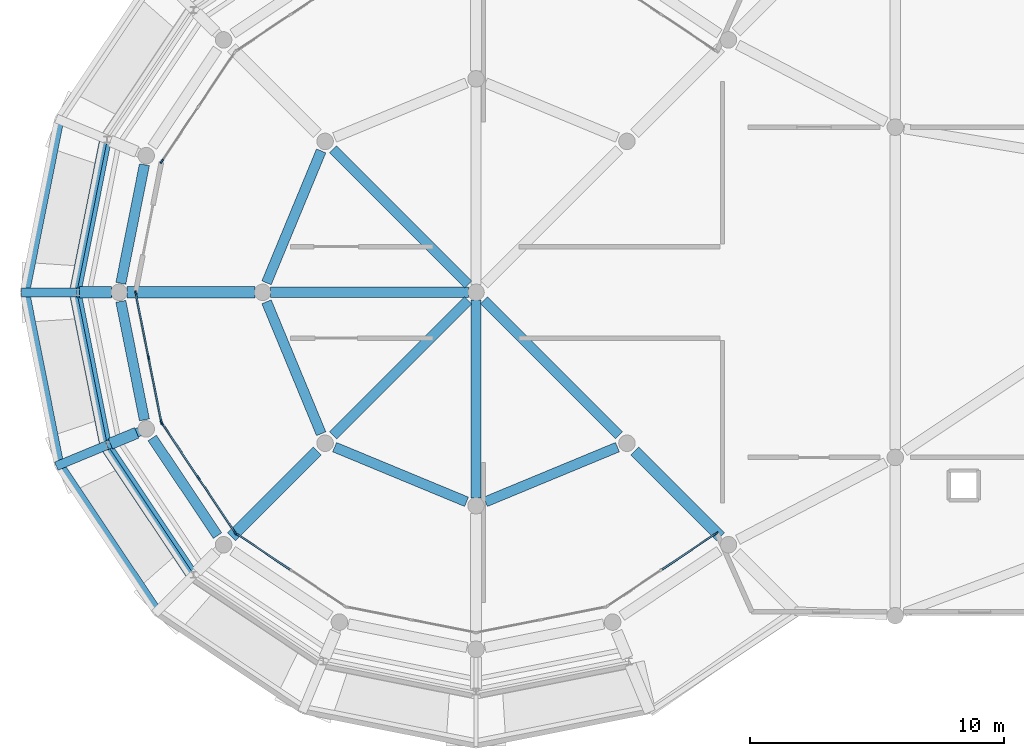
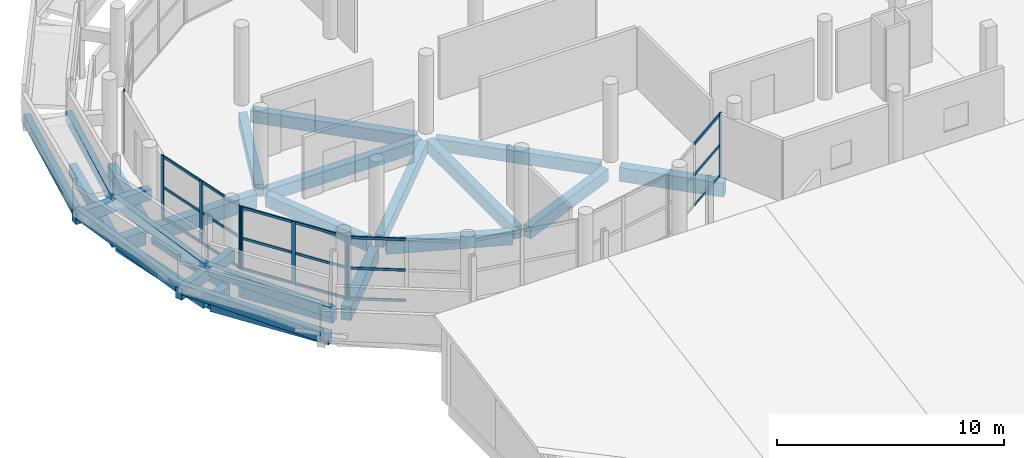
# One storey, part 16 of 83: 30 beams, 27 members, 5 elements without a shape of their own.
"""IFC4 building model written with IfcOpenShell, lengths in metres."""

from ifc_helpers import new_model, si_unit, direction, frame, origin, origin_2d, place, context, subcontext, project, spatial, rectangle, extrude, material, layer, layer_set, material_profile, profile_set, type_object, element, aggregate, save


model = new_model("IFC4")

# Units and contexts
model_context = context("Model", 3, precision=1e-05, world=origin(), true_north=direction((0.0, 1.0)))
body_context = subcontext(model_context, "Body", "Model", "MODEL_VIEW")
ifc_project = project(units=[si_unit("LENGTHUNIT", "METRE"), si_unit("AREAUNIT", "SQUARE_METRE"), si_unit("VOLUMEUNIT", "CUBIC_METRE"), si_unit("PLANEANGLEUNIT", "RADIAN"), si_unit("MASSUNIT", "GRAM", prefix="KILO")], contexts=[model_context])

# Site, building, storey
site_placement = place(None, origin())
site = spatial("IfcSite", under=ifc_project, at=site_placement, CompositionType="ELEMENT")
building_placement = place(site_placement, origin())
building = spatial("IfcBuilding", under=site, at=building_placement, Name="Jelvoka-Kovrelna Polytechnic", CompositionType="ELEMENT")
storey_placement = place(building_placement, frame((0.0, 0.0, 13.800048828125)))
storey = spatial("IfcBuildingStorey", under=building, at=storey_placement, Name="L04", CompositionType="ELEMENT", Elevation=13.800048828125)

# Beams
ifc_material_1 = material(Name="Concrete C35/45", Category="concrete")
ifc_material_profile_1 = material_profile(ifc_material_1, rectangle(XDim=0.35009765625, YDim=0.60009765625, at=origin_2d()), Name="RC 350x600")
ifc_profile_set_1 = profile_set([ifc_material_profile_1], Name="Concrete C35/45")
beam_type_1 = type_object("IfcBeamType", Name="Beam_RC_350x600", PredefinedType="BEAM", material=ifc_profile_set_1)
beam_1_placement = place(storey_placement, frame((12.51953125, 37.123291015625, 1.155029296875), z_axis=(-0.923870731357, -0.38270467954, 0.0), x_axis=(0.38270467954, -0.923870731357, 0.0)))
element("IfcBeam", 1, at=beam_1_placement, inside=storey, type_object=beam_type_1, Name="L04 spiral ramp inner tie beam 4.7", PredefinedType="BEAM", context=body_context, shape_type="SweptSolid", body=[
    extrude(rectangle(XDim=0.35009765625, YDim=0.60009765625, at=origin_2d()), origin(), (0.0, 0.0, 1.0), 1.670166015625),
])
beam_2_placement = place(storey_placement, frame((10.9765625, 36.484130859375, 1.155029296875), z_axis=(-0.923910766313, -0.382608018592, 0.0), x_axis=(0.382608018592, -0.923910766313, 0.0)))
element("IfcBeam", 2, at=beam_2_placement, inside=storey, type_object=beam_type_1, Name="L04 spiral ramp cantilever bracket 4.7", PredefinedType="BEAM", context=body_context, shape_type="SweptSolid", body=[
    extrude(rectangle(XDim=0.35009765625, YDim=0.60009765625, at=origin_2d()), origin(), (0.0, 0.0, 1.0), 2.159912109375),
])
beam_3_placement = place(storey_placement, frame((11.449951171875, 42.5, 1.574951171875), z_axis=(-1.0, 0.0, 0.0), x_axis=(0.0, -1.0, 0.0)))
element("IfcBeam", 3, at=beam_3_placement, inside=storey, type_object=beam_type_1, Name="L04 spiral ramp inner tie beam 4.6", PredefinedType="BEAM", context=body_context, shape_type="SweptSolid", body=[
    extrude(rectangle(XDim=0.35009765625, YDim=0.60009765625, at=origin_2d()), origin(), (0.0, 0.0, 1.0), 1.669921875),
])
beam_4_placement = place(storey_placement, frame((9.780029296875, 42.5, 1.574951171875), z_axis=(-1.0, 0.0, 0.0), x_axis=(0.0, -1.0, 0.0)))
element("IfcBeam", 4, at=beam_4_placement, inside=storey, type_object=beam_type_1, Name="L04 spiral ramp cantilever bracket 4.6", PredefinedType="BEAM", context=body_context, shape_type="SweptSolid", body=[
    extrude(rectangle(XDim=0.35009765625, YDim=0.60009765625, at=origin_2d()), origin(), (0.0, 0.0, 1.0), 2.159912109375),
])
ifc_material_2 = material(Name="Concrete C40/50", Category="concrete")
ifc_material_profile_2 = material_profile(ifc_material_2, rectangle(XDim=0.39990234375, YDim=0.64990234375, at=origin_2d()), Name="RC 400x650")
ifc_profile_set_2 = profile_set([ifc_material_profile_2], Name="Concrete C40/50")
beam_type_2 = type_object("IfcBeamType", Name="Beam_RC_400x650", PredefinedType="BEAM", material=ifc_profile_set_2)
beam_5_placement = place(storey_placement, frame((25.189208984375, 42.810791015625, -0.574951171875), z_axis=(-0.707106781187, 0.707106781187, 0.0), x_axis=(-0.707106781187, -0.707106781187, 0.0)))
element("IfcBeam", 5, at=beam_5_placement, inside=storey, type_object=beam_type_2, Name="L04 beam 2536", PredefinedType="BEAM", context=body_context, shape_type="SweptSolid", body=[
    extrude(rectangle(XDim=0.39990234375, YDim=0.64990234375, at=origin_2d()), origin(), (0.0, 0.0, 1.0), 7.52099609375),
])
beam_6_placement = place(storey_placement, frame((25.195068359375, 42.5, -0.574951171875), z_axis=(-1.0, 0.0, 0.0), x_axis=(0.0, -1.0, 0.0)))
element("IfcBeam", 6, at=beam_6_placement, inside=storey, type_object=beam_type_2, Name="L04 beam 2538", PredefinedType="BEAM", context=body_context, shape_type="SweptSolid", body=[
    extrude(rectangle(XDim=0.39990234375, YDim=0.64990234375, at=origin_2d()), origin(), (0.0, 0.0, 1.0), 7.7900390625),
])
beam_7_placement = place(storey_placement, frame((25.189208984375, 42.189208984375, -0.574951171875), z_axis=(-0.707106781187, -0.707106781187, 0.0), x_axis=(0.707106781187, -0.707106781187, 0.0)))
element("IfcBeam", 7, at=beam_7_placement, inside=storey, type_object=beam_type_2, Name="L04 beam 2540", PredefinedType="BEAM", context=body_context, shape_type="SweptSolid", body=[
    extrude(rectangle(XDim=0.39990234375, YDim=0.64990234375, at=origin_2d()), origin(), (0.0, 0.0, 1.0), 7.52099609375),
])
beam_8_placement = place(storey_placement, frame((25.5, 42.195068359375, -0.574951171875), z_axis=(0.0, -1.0, 0.0), x_axis=(1.0, 0.0, 0.0)))
element("IfcBeam", 8, at=beam_8_placement, inside=storey, type_object=beam_type_2, Name="L04 beam 2542", PredefinedType="BEAM", context=body_context, shape_type="SweptSolid", body=[
    extrude(rectangle(XDim=0.39990234375, YDim=0.64990234375, at=origin_2d()), origin(), (0.0, 0.0, 1.0), 7.7900390625),
])
beam_9_placement = place(storey_placement, frame((25.810791015625, 42.189208984375, -0.574951171875), z_axis=(0.707106781187, -0.707106781187, 0.0), x_axis=(0.707106781187, 0.707106781187, 0.0)))
element("IfcBeam", 9, at=beam_9_placement, inside=storey, type_object=beam_type_2, Name="L04 beam 2544", PredefinedType="BEAM", context=body_context, shape_type="SweptSolid", body=[
    extrude(rectangle(XDim=0.39990234375, YDim=0.64990234375, at=origin_2d()), origin(), (0.0, 0.0, 1.0), 7.52099609375),
])
for number, where, z_axis, x_axis, name in (
    (10, (19.405517578125, 48.06591796875, -0.574951171875), (-0.382680472226, -0.923880758636, 0.0), (0.923880758636, -0.382680472226, 0.0), "L04 beam 2548"),
    (11, (17.2548828125, 42.126220703125, -0.574951171875), (0.382680472226, -0.923880758636, 0.0), (0.923880758636, 0.382680472226, 0.0), "L04 beam 2549"),
    (12, (19.93408203125, 36.405517578125, -0.574951171875), (0.923880758636, -0.382680472226, 0.0), (0.382680472226, 0.923880758636, 0.0), "L04 beam 2550"),
    (13, (25.873779296875, 34.2548828125, -0.574951171875), (0.923880758636, 0.382680472226, 0.0), (-0.382680472226, 0.923880758636, 0.0), "L04 beam 2551"),
):
    element("IfcBeam", number, at=place(storey_placement, frame(where, z_axis=z_axis, x_axis=x_axis)), inside=storey, type_object=beam_type_2, Name=name, PredefinedType="BEAM", context=body_context, shape_type="SweptSolid", body=[
        extrude(rectangle(XDim=0.39990234375, YDim=0.64990234375, at=origin_2d()), origin(), (0.0, 0.0, 1.0), 5.619873046875),
    ])
for number, where, z_axis, x_axis, name in (
    (14, (12.44873046875, 47.521484375, -0.574951171875), (-0.195050235727, -0.98079325321, 0.0), (0.98079325321, -0.195050235727, 0.0), "L04 beam 2557"),
    (15, (11.520751953125, 42.144775390625, -0.574951171875), (0.195050235727, -0.98079325321, 0.0), (0.98079325321, 0.195050235727, 0.0), "L04 beam 2558"),
):
    element("IfcBeam", number, at=place(storey_placement, frame(where, z_axis=z_axis, x_axis=x_axis)), inside=storey, type_object=beam_type_2, Name=name, PredefinedType="BEAM", context=body_context, shape_type="SweptSolid", body=[
        extrude(rectangle(XDim=0.39990234375, YDim=0.64990234375, at=origin_2d()), origin(), (0.0, 0.0, 1.0), 4.757568359375),
    ])
beam_10_placement = place(storey_placement, frame((12.7587890625, 36.76513671875, -0.574951171875), z_axis=(0.555553463908, -0.83148081682, 0.0), x_axis=(0.83148081682, 0.555553463908, 0.0)))
element("IfcBeam", 16, at=beam_10_placement, inside=storey, type_object=beam_type_2, Name="L04 beam 2559", PredefinedType="BEAM", context=body_context, shape_type="SweptSolid", body=[
    extrude(rectangle(XDim=0.39990234375, YDim=0.64990234375, at=origin_2d()), origin(), (0.0, 0.0, 1.0), 4.620361328125),
])
ifc_material_3 = material(Name="Concrete C40/50", Category="concrete")
ifc_material_profile_3 = material_profile(ifc_material_3, rectangle(XDim=0.449951171875, YDim=0.75, at=origin_2d()), Name="RC 450x750")
ifc_profile_set_3 = profile_set([ifc_material_profile_3], Name="Concrete C40/50")
beam_type_3 = type_object("IfcBeamType", Name="Beam_RC_450x750", PredefinedType="BEAM", material=ifc_profile_set_3)
beam_11_placement = place(storey_placement, frame((16.794921875, 42.5, -0.625), z_axis=(-1.0, 0.0, 0.0), x_axis=(0.0, -1.0, 0.0)))
element("IfcBeam", 17, at=beam_11_placement, inside=storey, type_object=beam_type_3, Name="L04 beam 2539", PredefinedType="BEAM", context=body_context, shape_type="SweptSolid", body=[
    extrude(rectangle(XDim=0.449951171875, YDim=0.75, at=origin_2d()), origin(), (0.0, 0.0, 1.0), 5.0400390625),
])
for number, where, z_axis, x_axis, name in (
    (18, (19.24951171875, 36.24951171875, -0.625), (-0.707106781187, -0.707106781187, 0.0), (0.707106781187, -0.707106781187, 0.0), "L04 beam 2541"),
    (19, (31.75048828125, 36.24951171875, -0.625), (0.707106781187, -0.707106781187, 0.0), (0.707106781187, 0.707106781187, 0.0), "L04 beam 2545"),
):
    element("IfcBeam", number, at=place(storey_placement, frame(where, z_axis=z_axis, x_axis=x_axis)), inside=storey, type_object=beam_type_3, Name=name, PredefinedType="BEAM", context=body_context, shape_type="SweptSolid", body=[
        extrude(rectangle(XDim=0.449951171875, YDim=0.75, at=origin_2d()), origin(), (0.0, 0.0, 1.0), 4.77099609375),
    ])
beam_12_placement = place(storey_placement, frame((11.14501953125, 42.5, -0.625), z_axis=(-1.0, 0.0, 0.0), x_axis=(0.0, -1.0, 0.0)))
element("IfcBeam", 20, at=beam_12_placement, inside=storey, type_object=beam_type_3, Name="L04 beam 2571", PredefinedType="BEAM", context=body_context, shape_type="SweptSolid", body=[
    extrude(rectangle(XDim=0.449951171875, YDim=0.75, at=origin_2d()), origin(), (0.0, 0.0, 1.0), 1.258056640625),
])
beam_13_placement = place(storey_placement, frame((12.145751953125, 36.968505859375, -0.625), z_axis=(-0.923881295129, -0.382679177001, 0.0), x_axis=(0.382679177001, -0.923881295129, 0.0)))
element("IfcBeam", 21, at=beam_13_placement, inside=storey, type_object=beam_type_3, Name="L04 beam 2572", PredefinedType="BEAM", context=body_context, shape_type="SweptSolid", body=[
    extrude(rectangle(XDim=0.449951171875, YDim=0.75, at=origin_2d()), origin(), (0.0, 0.0, 1.0), 1.11962890625),
])

# Curtain wall, member
ifc_material_4 = material(Name="Anodised aluminium 6063-T6", Category="aluminium")
ifc_layer = layer(ifc_material_4, 0.179931640625)
ifc_layer_set = layer_set([ifc_layer], Name="Anodised aluminium 6063-T6")
curtain_wall_type = type_object("IfcCurtainWallType", Name="CW_Pavilion", PredefinedType="NOTDEFINED", material=ifc_layer_set)
curtain_wall_1_placement = place(storey_placement, origin())
curtain_wall_1 = element("IfcCurtainWall", 22, at=curtain_wall_1_placement, inside=storey, type_object=curtain_wall_type, Name="L04 glazed curtain wall 248", PredefinedType="NOTDEFINED")
ifc_material_5 = material(Name="Anodised aluminium 6063-T6", Category="aluminium")
ifc_material_profile_4 = material_profile(ifc_material_5, rectangle(XDim=0.06494140625, YDim=0.179931640625, at=origin_2d()), Name="ALU 65x180")
ifc_profile_set_4 = profile_set([ifc_material_profile_4], Name="Anodised aluminium 6063-T6")
member_type_1 = type_object("IfcMemberType", Name="Mullion_M-05", PredefinedType="MULLION", material=ifc_profile_set_4)
member_1_placement = place(storey_placement, frame((13.137939453125, 47.655029296875, -0.02490234375), z_axis=(0.0, 0.0, 1.0), x_axis=(-0.83146132254, 0.555582639326, 0.0)))
member_1 = element("IfcMember", 23, at=member_1_placement, type_object=member_type_1, Name="CW-05 mullion 1", PredefinedType="MULLION", context=body_context, shape_type="SweptSolid", body=[
    extrude(rectangle(XDim=0.06494140625, YDim=0.179931640625, at=origin_2d()), origin(), (0.0, 0.0, 1.0), 3.39990234375),
])
aggregate(curtain_wall_1, [member_1])

# Curtain wall, members
curtain_wall_2_placement = place(storey_placement, origin())
curtain_wall_2 = element("IfcCurtainWall", 24, at=curtain_wall_2_placement, inside=storey, type_object=curtain_wall_type, Name="L04 glazed curtain wall 249", PredefinedType="NOTDEFINED")
member_2_placement = place(storey_placement, frame((13.11376953125, 37.40380859375, -0.02490234375), z_axis=(0.0, 0.0, 1.0), x_axis=(-0.980786108197, -0.195086160371, 0.0)))
member_2 = element("IfcMember", 25, at=member_2_placement, type_object=member_type_1, Name="CW-05 mullion 1", PredefinedType="MULLION", context=body_context, shape_type="SweptSolid", body=[
    extrude(rectangle(XDim=0.06494140625, YDim=0.179931640625, at=origin_2d()), origin(), (0.0, 0.0, 1.0), 3.39990234375),
])
member_3_placement = place(storey_placement, frame((12.610107421875, 39.93603515625, -0.02490234375), z_axis=(0.0, 0.0, 1.0), x_axis=(-0.980786108197, -0.195086160371, 0.0)))
member_3 = element("IfcMember", 26, at=member_3_placement, type_object=member_type_1, Name="CW-05 mullion 2", PredefinedType="MULLION", context=body_context, shape_type="SweptSolid", body=[
    extrude(rectangle(XDim=0.06494140625, YDim=0.179931640625, at=origin_2d()), origin(), (0.0, 0.0, 1.0), 3.39990234375),
])
member_4_placement = place(storey_placement, frame((12.1064453125, 42.468017578125, -0.02490234375), z_axis=(0.0, 0.0, 1.0), x_axis=(-0.980786108197, -0.195086160371, 0.0)))
member_4 = element("IfcMember", 27, at=member_4_placement, type_object=member_type_1, Name="CW-05 mullion 3", PredefinedType="MULLION", context=body_context, shape_type="SweptSolid", body=[
    extrude(rectangle(XDim=0.06494140625, YDim=0.179931640625, at=origin_2d()), origin(), (0.0, 0.0, 1.0), 3.39990234375),
])

curtain_wall_3_placement = place(storey_placement, origin())
curtain_wall_3 = element("IfcCurtainWall", 28, at=curtain_wall_3_placement, inside=storey, type_object=curtain_wall_type, Name="L04 glazed curtain wall 250", PredefinedType="NOTDEFINED")
member_5_placement = place(storey_placement, frame((16.0068359375, 33.0517578125, -0.02490234375), z_axis=(0.0, 0.0, 1.0), x_axis=(-0.83146132254, -0.555582639326, 0.0)))
member_5 = element("IfcMember", 29, at=member_5_placement, type_object=member_type_1, Name="CW-05 mullion 1", PredefinedType="MULLION", context=body_context, shape_type="SweptSolid", body=[
    extrude(rectangle(XDim=0.06494140625, YDim=0.179931640625, at=origin_2d()), origin(), (0.0, 0.0, 1.0), 3.39990234375),
])
member_6_placement = place(storey_placement, frame((14.572509765625, 35.198486328125, -0.02490234375), z_axis=(0.0, 0.0, 1.0), x_axis=(-0.83146132254, -0.555582639326, 0.0)))
member_6 = element("IfcMember", 30, at=member_6_placement, type_object=member_type_1, Name="CW-05 mullion 2", PredefinedType="MULLION", context=body_context, shape_type="SweptSolid", body=[
    extrude(rectangle(XDim=0.06494140625, YDim=0.179931640625, at=origin_2d()), origin(), (0.0, 0.0, 1.0), 3.39990234375),
])
member_7_placement = place(storey_placement, frame((13.137939453125, 37.344970703125, -0.02490234375), z_axis=(0.0, 0.0, 1.0), x_axis=(-0.83146132254, -0.555582639326, 0.0)))
member_7 = element("IfcMember", 31, at=member_7_placement, type_object=member_type_1, Name="CW-05 mullion 3", PredefinedType="MULLION", context=body_context, shape_type="SweptSolid", body=[
    extrude(rectangle(XDim=0.06494140625, YDim=0.179931640625, at=origin_2d()), origin(), (0.0, 0.0, 1.0), 3.39990234375),
])

# Curtain wall, member
curtain_wall_4_placement = place(storey_placement, origin())
curtain_wall_4 = element("IfcCurtainWall", 32, at=curtain_wall_4_placement, inside=storey, type_object=curtain_wall_type, Name="L04 glazed curtain wall 251", PredefinedType="NOTDEFINED")
member_8_placement = place(storey_placement, frame((16.0517578125, 33.0068359375, -0.02490234375), z_axis=(0.0, 0.0, 1.0), x_axis=(-0.555582639326, -0.83146132254, 0.0)))
member_8 = element("IfcMember", 33, at=member_8_placement, type_object=member_type_1, Name="CW-05 mullion 3", PredefinedType="MULLION", context=body_context, shape_type="SweptSolid", body=[
    extrude(rectangle(XDim=0.06494140625, YDim=0.179931640625, at=origin_2d()), origin(), (0.0, 0.0, 1.0), 3.39990234375),
])

curtain_wall_5_placement = place(storey_placement, origin())
curtain_wall_5 = element("IfcCurtainWall", 34, at=curtain_wall_5_placement, inside=storey, type_object=curtain_wall_type, Name="L04 glazed curtain wall 254", PredefinedType="NOTDEFINED")
member_9_placement = place(storey_placement, frame((34.9482421875, 33.0068359375, -0.02490234375), z_axis=(0.0, 0.0, 1.0), x_axis=(0.555582639326, -0.83146132254, 0.0)))
member_9 = element("IfcMember", 35, at=member_9_placement, type_object=member_type_1, Name="CW-05 mullion 1", PredefinedType="MULLION", context=body_context, shape_type="SweptSolid", body=[
    extrude(rectangle(XDim=0.06494140625, YDim=0.179931640625, at=origin_2d()), origin(), (0.0, 0.0, 1.0), 3.39990234375),
])

# Beams
ifc_material_6 = material(Name="Concrete C40/50", Category="concrete")
ifc_material_profile_5 = material_profile(ifc_material_6, rectangle(XDim=0.300048828125, YDim=0.550048828125, at=origin_2d()), Name="RC 300x550")
ifc_profile_set_5 = profile_set([ifc_material_profile_5], Name="Concrete C40/50")
beam_type_4 = type_object("IfcBeamType", Name="Spandrel_RC_300x550", PredefinedType="SPANDREL", material=ifc_profile_set_5)
beam_14_placement = place(storey_placement, frame((12.97021484375, 29.97021484375, 0.98486328125), z_axis=(-0.554573122281, 0.829921109522, 0.060659739637), x_axis=(-0.831452226772, -0.555596251424, 0.0)))
element("IfcBeam", 36, at=beam_14_placement, inside=storey, type_object=beam_type_4, Name="L04 spiral ramp curved outer stringer 4.8", PredefinedType="SPANDREL", context=body_context, shape_type="SweptSolid", body=[
    extrude(rectangle(XDim=0.300048828125, YDim=0.550048828125, at=origin_2d()), origin(), (0.0, 0.0, 1.0), 6.926513671875),
])
beam_15_placement = place(storey_placement, frame((14.285400390625, 31.285400390625, 0.98486328125), z_axis=(-0.554297687258, 0.829557148059, 0.067742246824), x_axis=(-0.831467148194, -0.555573920801, 0.0)))
element("IfcBeam", 37, at=beam_15_placement, inside=storey, type_object=beam_type_4, Name="L04 spiral ramp curved inner stringer 4.8", PredefinedType="SPANDREL", context=body_context, shape_type="SweptSolid", body=[
    extrude(rectangle(XDim=0.300048828125, YDim=0.550048828125, at=origin_2d()), origin(), (0.0, 0.0, 1.0), 6.202392578125),
])
beam_16_placement = place(storey_placement, frame((9.12890625, 35.71875, 1.405029296875), z_axis=(-0.194731848062, 0.978981323396, 0.060622403379), x_axis=(-0.980785212274, -0.195090664524, 0.0)))
element("IfcBeam", 38, at=beam_16_placement, inside=storey, type_object=beam_type_4, Name="L04 spiral ramp curved outer stringer 4.7", PredefinedType="SPANDREL", context=body_context, shape_type="SweptSolid", body=[
    extrude(rectangle(XDim=0.300048828125, YDim=0.550048828125, at=origin_2d()), origin(), (0.0, 0.0, 1.0), 6.9267578125),
])
beam_17_placement = place(storey_placement, frame((10.847412109375, 36.4306640625, 1.405029296875), z_axis=(-0.194682029772, 0.978527145192, 0.067701797656), x_axis=(-0.980777439808, -0.195129735209, 0.0)))
element("IfcBeam", 39, at=beam_17_placement, inside=storey, type_object=beam_type_4, Name="L04 spiral ramp curved inner stringer 4.7", PredefinedType="SPANDREL", context=body_context, shape_type="SweptSolid", body=[
    extrude(rectangle(XDim=0.300048828125, YDim=0.550048828125, at=origin_2d()), origin(), (0.0, 0.0, 1.0), 6.20263671875),
])
beam_18_placement = place(storey_placement, frame((7.780029296875, 42.5, 1.824951171875), z_axis=(0.194731848062, 0.978981323396, 0.060622403379), x_axis=(-0.980785212274, 0.195090664524, 0.0)))
element("IfcBeam", 40, at=beam_18_placement, inside=storey, type_object=beam_type_4, Name="L04 spiral ramp curved outer stringer 4.6", PredefinedType="SPANDREL", context=body_context, shape_type="SweptSolid", body=[
    extrude(rectangle(XDim=0.300048828125, YDim=0.550048828125, at=origin_2d()), origin(), (0.0, 0.0, 1.0), 6.9267578125),
])
beam_19_placement = place(storey_placement, frame((9.639892578125, 42.5, 1.824951171875), z_axis=(0.194682029772, 0.978527145192, 0.067701797656), x_axis=(-0.980777439808, 0.195129735209, 0.0)))
element("IfcBeam", 41, at=beam_19_placement, inside=storey, type_object=beam_type_4, Name="L04 spiral ramp curved inner stringer 4.6", PredefinedType="SPANDREL", context=body_context, shape_type="SweptSolid", body=[
    extrude(rectangle(XDim=0.300048828125, YDim=0.550048828125, at=origin_2d()), origin(), (0.0, 0.0, 1.0), 6.20263671875),
])
ifc_material_7 = material(Name="Concrete C40/50", Category="concrete")
ifc_material_profile_6 = material_profile(ifc_material_7, rectangle(XDim=0.35009765625, YDim=0.60009765625, at=origin_2d()), Name="RC 350x600")
ifc_profile_set_6 = profile_set([ifc_material_profile_6], Name="Concrete C40/50")
beam_type_5 = type_object("IfcBeamType", Name="Spandrel_RC_350x600", PredefinedType="SPANDREL", material=ifc_profile_set_6)
for number, where, z_axis, x_axis, name in (
    (42, (10.951416015625, 48.388916015625, -0.550048828125), (-0.195109079005, -0.98078154922, 0.0), (0.98078154922, -0.195109079005, 0.0), "L04 beam 2582"),
    (43, (9.80517578125, 42.373046875, -0.550048828125), (0.195109079005, -0.98078154922, 0.0), (0.98078154922, 0.195109079005, 0.0), "L04 beam 2583"),
):
    element("IfcBeam", number, at=place(storey_placement, frame(where, z_axis=z_axis, x_axis=x_axis)), inside=storey, type_object=beam_type_5, Name=name, PredefinedType="SPANDREL", context=body_context, shape_type="SweptSolid", body=[
        extrude(rectangle(XDim=0.35009765625, YDim=0.60009765625, at=origin_2d()), origin(), (0.0, 0.0, 1.0), 5.874755859375),
    ])
beam_20_placement = place(storey_placement, frame((11.0634765625, 36.3544921875, -0.550048828125), z_axis=(0.555561254279, -0.831475611635, 0.0), x_axis=(0.831475611635, 0.555561254279, 0.0)))
element("IfcBeam", 44, at=beam_20_placement, inside=storey, type_object=beam_type_5, Name="L04 beam 2584", PredefinedType="SPANDREL", context=body_context, shape_type="SweptSolid", body=[
    extrude(rectangle(XDim=0.35009765625, YDim=0.60009765625, at=origin_2d()), origin(), (0.0, 0.0, 1.0), 5.8212890625),
])

# Member
ifc_material_8 = material(Name="Anodised aluminium 6063-T6", Category="aluminium")
ifc_material_profile_7 = material_profile(ifc_material_8, rectangle(XDim=0.06494140625, YDim=0.135009765625, at=origin_2d()), Name="ALU 65x135")
ifc_profile_set_7 = profile_set([ifc_material_profile_7], Name="Anodised aluminium 6063-T6")
member_type_2 = type_object("IfcMemberType", Name="Transom_T-05", PredefinedType="USERDEFINED", material=ifc_profile_set_7)
member_10_placement = place(storey_placement, frame((13.107421875, 37.435791015625, 0.032470703125), z_axis=(-0.195089945547, 0.980785355287, 0.0), x_axis=(-0.980785355287, -0.195089945547, 0.0)))
member_10 = element("IfcMember", 45, at=member_10_placement, type_object=member_type_2, Name="CW-05 transom 1.1", ObjectType="TRANSOM", PredefinedType="USERDEFINED", context=body_context, shape_type="SweptSolid", body=[
    extrude(rectangle(XDim=0.06494140625, YDim=0.135009765625, at=origin_2d()), origin(), (0.0, 0.0, 1.0), 2.5166015625),
])

member_11_placement = place(storey_placement, frame((13.107421875, 37.435791015625, 1.675048828125), z_axis=(-0.195089945547, 0.980785355287, 0.0), x_axis=(-0.980785355287, -0.195089945547, 0.0)))
member_11 = element("IfcMember", 46, at=member_11_placement, type_object=member_type_2, Name="CW-05 transom 1.2", ObjectType="TRANSOM", PredefinedType="USERDEFINED", context=body_context, shape_type="SweptSolid", body=[
    extrude(rectangle(XDim=0.06494140625, YDim=0.135009765625, at=origin_2d()), origin(), (0.0, 0.0, 1.0), 2.5166015625),
])

member_12_placement = place(storey_placement, frame((13.107421875, 37.435791015625, 3.3173828125), z_axis=(-0.195089945547, 0.980785355287, 0.0), x_axis=(-0.980785355287, -0.195089945547, 0.0)))
member_12 = element("IfcMember", 47, at=member_12_placement, type_object=member_type_2, Name="CW-05 transom 1.3", ObjectType="TRANSOM", PredefinedType="USERDEFINED", context=body_context, shape_type="SweptSolid", body=[
    extrude(rectangle(XDim=0.06494140625, YDim=0.135009765625, at=origin_2d()), origin(), (0.0, 0.0, 1.0), 2.5166015625),
])

member_13_placement = place(storey_placement, frame((12.603759765625, 39.9677734375, 0.032470703125), z_axis=(-0.195071384983, 0.980789047023, 0.0), x_axis=(-0.980789047023, -0.195071384983, 0.0)))
member_13 = element("IfcMember", 48, at=member_13_placement, type_object=member_type_2, Name="CW-05 transom 2.1", ObjectType="TRANSOM", PredefinedType="USERDEFINED", context=body_context, shape_type="SweptSolid", body=[
    extrude(rectangle(XDim=0.06494140625, YDim=0.135009765625, at=origin_2d()), origin(), (0.0, 0.0, 1.0), 2.516845703125),
])

member_14_placement = place(storey_placement, frame((12.603759765625, 39.9677734375, 1.675048828125), z_axis=(-0.195071384983, 0.980789047023, 0.0), x_axis=(-0.980789047023, -0.195071384983, 0.0)))
member_14 = element("IfcMember", 49, at=member_14_placement, type_object=member_type_2, Name="CW-05 transom 2.2", ObjectType="TRANSOM", PredefinedType="USERDEFINED", context=body_context, shape_type="SweptSolid", body=[
    extrude(rectangle(XDim=0.06494140625, YDim=0.135009765625, at=origin_2d()), origin(), (0.0, 0.0, 1.0), 2.516845703125),
])

member_15_placement = place(storey_placement, frame((12.603759765625, 39.9677734375, 3.3173828125), z_axis=(-0.195071384983, 0.980789047023, 0.0), x_axis=(-0.980789047023, -0.195071384983, 0.0)))
member_15 = element("IfcMember", 50, at=member_15_placement, type_object=member_type_2, Name="CW-05 transom 2.3", ObjectType="TRANSOM", PredefinedType="USERDEFINED", context=body_context, shape_type="SweptSolid", body=[
    extrude(rectangle(XDim=0.06494140625, YDim=0.135009765625, at=origin_2d()), origin(), (0.0, 0.0, 1.0), 2.516845703125),
])

aggregate(curtain_wall_2, [member_2, member_3, member_4, member_10, member_11, member_12, member_13, member_14, member_15])

member_16_placement = place(storey_placement, frame((15.98876953125, 33.078857421875, 0.032470703125), z_axis=(-0.555572975667, 0.831467779718, 0.0), x_axis=(-0.831467779718, -0.555572975667, 0.0)))
member_16 = element("IfcMember", 51, at=member_16_placement, type_object=member_type_2, Name="CW-05 transom 1.1", ObjectType="TRANSOM", PredefinedType="USERDEFINED", context=body_context, shape_type="SweptSolid", body=[
    extrude(rectangle(XDim=0.06494140625, YDim=0.135009765625, at=origin_2d()), origin(), (0.0, 0.0, 1.0), 2.5166015625),
])

member_17_placement = place(storey_placement, frame((15.98876953125, 33.078857421875, 1.675048828125), z_axis=(-0.555572975667, 0.831467779718, 0.0), x_axis=(-0.831467779718, -0.555572975667, 0.0)))
member_17 = element("IfcMember", 52, at=member_17_placement, type_object=member_type_2, Name="CW-05 transom 1.2", ObjectType="TRANSOM", PredefinedType="USERDEFINED", context=body_context, shape_type="SweptSolid", body=[
    extrude(rectangle(XDim=0.06494140625, YDim=0.135009765625, at=origin_2d()), origin(), (0.0, 0.0, 1.0), 2.5166015625),
])

member_18_placement = place(storey_placement, frame((15.98876953125, 33.078857421875, 3.3173828125), z_axis=(-0.555572975667, 0.831467779718, 0.0), x_axis=(-0.831467779718, -0.555572975667, 0.0)))
member_18 = element("IfcMember", 53, at=member_18_placement, type_object=member_type_2, Name="CW-05 transom 1.3", ObjectType="TRANSOM", PredefinedType="USERDEFINED", context=body_context, shape_type="SweptSolid", body=[
    extrude(rectangle(XDim=0.06494140625, YDim=0.135009765625, at=origin_2d()), origin(), (0.0, 0.0, 1.0), 2.5166015625),
])

member_19_placement = place(storey_placement, frame((14.554443359375, 35.225341796875, 0.032470703125), z_axis=(-0.555640036612, 0.831422966795, 0.0), x_axis=(-0.831422966795, -0.555640036612, 0.0)))
member_19 = element("IfcMember", 54, at=member_19_placement, type_object=member_type_2, Name="CW-05 transom 2.1", ObjectType="TRANSOM", PredefinedType="USERDEFINED", context=body_context, shape_type="SweptSolid", body=[
    extrude(rectangle(XDim=0.06494140625, YDim=0.135009765625, at=origin_2d()), origin(), (0.0, 0.0, 1.0), 2.516845703125),
])

member_20_placement = place(storey_placement, frame((14.554443359375, 35.225341796875, 1.675048828125), z_axis=(-0.555640036612, 0.831422966795, 0.0), x_axis=(-0.831422966795, -0.555640036612, 0.0)))
member_20 = element("IfcMember", 55, at=member_20_placement, type_object=member_type_2, Name="CW-05 transom 2.2", ObjectType="TRANSOM", PredefinedType="USERDEFINED", context=body_context, shape_type="SweptSolid", body=[
    extrude(rectangle(XDim=0.06494140625, YDim=0.135009765625, at=origin_2d()), origin(), (0.0, 0.0, 1.0), 2.516845703125),
])

member_21_placement = place(storey_placement, frame((14.554443359375, 35.225341796875, 3.3173828125), z_axis=(-0.555640036612, 0.831422966795, 0.0), x_axis=(-0.831422966795, -0.555640036612, 0.0)))
member_21 = element("IfcMember", 56, at=member_21_placement, type_object=member_type_2, Name="CW-05 transom 2.3", ObjectType="TRANSOM", PredefinedType="USERDEFINED", context=body_context, shape_type="SweptSolid", body=[
    extrude(rectangle(XDim=0.06494140625, YDim=0.135009765625, at=origin_2d()), origin(), (0.0, 0.0, 1.0), 2.516845703125),
])

aggregate(curtain_wall_3, [member_5, member_6, member_7, member_16, member_17, member_18, member_19, member_20, member_21])

member_22_placement = place(storey_placement, frame((18.17138671875, 31.590576171875, 0.032470703125), z_axis=(-0.831467779718, 0.555572975667, 0.0), x_axis=(-0.555572975667, -0.831467779718, 0.0)))
member_22 = element("IfcMember", 57, at=member_22_placement, type_object=member_type_2, Name="CW-05 transom 2.1", ObjectType="TRANSOM", PredefinedType="USERDEFINED", context=body_context, shape_type="SweptSolid", body=[
    extrude(rectangle(XDim=0.06494140625, YDim=0.135009765625, at=origin_2d()), origin(), (0.0, 0.0, 1.0), 2.5166015625),
])

member_23_placement = place(storey_placement, frame((18.17138671875, 31.590576171875, 1.675048828125), z_axis=(-0.831467779718, 0.555572975667, 0.0), x_axis=(-0.555572975667, -0.831467779718, 0.0)))
member_23 = element("IfcMember", 58, at=member_23_placement, type_object=member_type_2, Name="CW-05 transom 2.2", ObjectType="TRANSOM", PredefinedType="USERDEFINED", context=body_context, shape_type="SweptSolid", body=[
    extrude(rectangle(XDim=0.06494140625, YDim=0.135009765625, at=origin_2d()), origin(), (0.0, 0.0, 1.0), 2.5166015625),
])

member_24_placement = place(storey_placement, frame((18.17138671875, 31.590576171875, 3.3173828125), z_axis=(-0.831467779718, 0.555572975667, 0.0), x_axis=(-0.555572975667, -0.831467779718, 0.0)))
member_24 = element("IfcMember", 59, at=member_24_placement, type_object=member_type_2, Name="CW-05 transom 2.3", ObjectType="TRANSOM", PredefinedType="USERDEFINED", context=body_context, shape_type="SweptSolid", body=[
    extrude(rectangle(XDim=0.06494140625, YDim=0.135009765625, at=origin_2d()), origin(), (0.0, 0.0, 1.0), 2.5166015625),
])

aggregate(curtain_wall_4, [member_8, member_22, member_23, member_24])

member_25_placement = place(storey_placement, frame((34.921142578125, 32.98876953125, 0.032470703125), z_axis=(-0.831467779718, -0.555572975667, 0.0), x_axis=(0.555572975667, -0.831467779718, 0.0)))
member_25 = element("IfcMember", 60, at=member_25_placement, type_object=member_type_2, Name="CW-05 transom 1.1", ObjectType="TRANSOM", PredefinedType="USERDEFINED", context=body_context, shape_type="SweptSolid", body=[
    extrude(rectangle(XDim=0.06494140625, YDim=0.135009765625, at=origin_2d()), origin(), (0.0, 0.0, 1.0), 2.5166015625),
])

member_26_placement = place(storey_placement, frame((34.921142578125, 32.98876953125, 1.675048828125), z_axis=(-0.831467779718, -0.555572975667, 0.0), x_axis=(0.555572975667, -0.831467779718, 0.0)))
member_26 = element("IfcMember", 61, at=member_26_placement, type_object=member_type_2, Name="CW-05 transom 1.2", ObjectType="TRANSOM", PredefinedType="USERDEFINED", context=body_context, shape_type="SweptSolid", body=[
    extrude(rectangle(XDim=0.06494140625, YDim=0.135009765625, at=origin_2d()), origin(), (0.0, 0.0, 1.0), 2.5166015625),
])

member_27_placement = place(storey_placement, frame((34.921142578125, 32.98876953125, 3.3173828125), z_axis=(-0.831467779718, -0.555572975667, 0.0), x_axis=(0.555572975667, -0.831467779718, 0.0)))
member_27 = element("IfcMember", 62, at=member_27_placement, type_object=member_type_2, Name="CW-05 transom 1.3", ObjectType="TRANSOM", PredefinedType="USERDEFINED", context=body_context, shape_type="SweptSolid", body=[
    extrude(rectangle(XDim=0.06494140625, YDim=0.135009765625, at=origin_2d()), origin(), (0.0, 0.0, 1.0), 2.5166015625),
])

aggregate(curtain_wall_5, [member_9, member_25, member_26, member_27])

save(model, "model.ifc")
